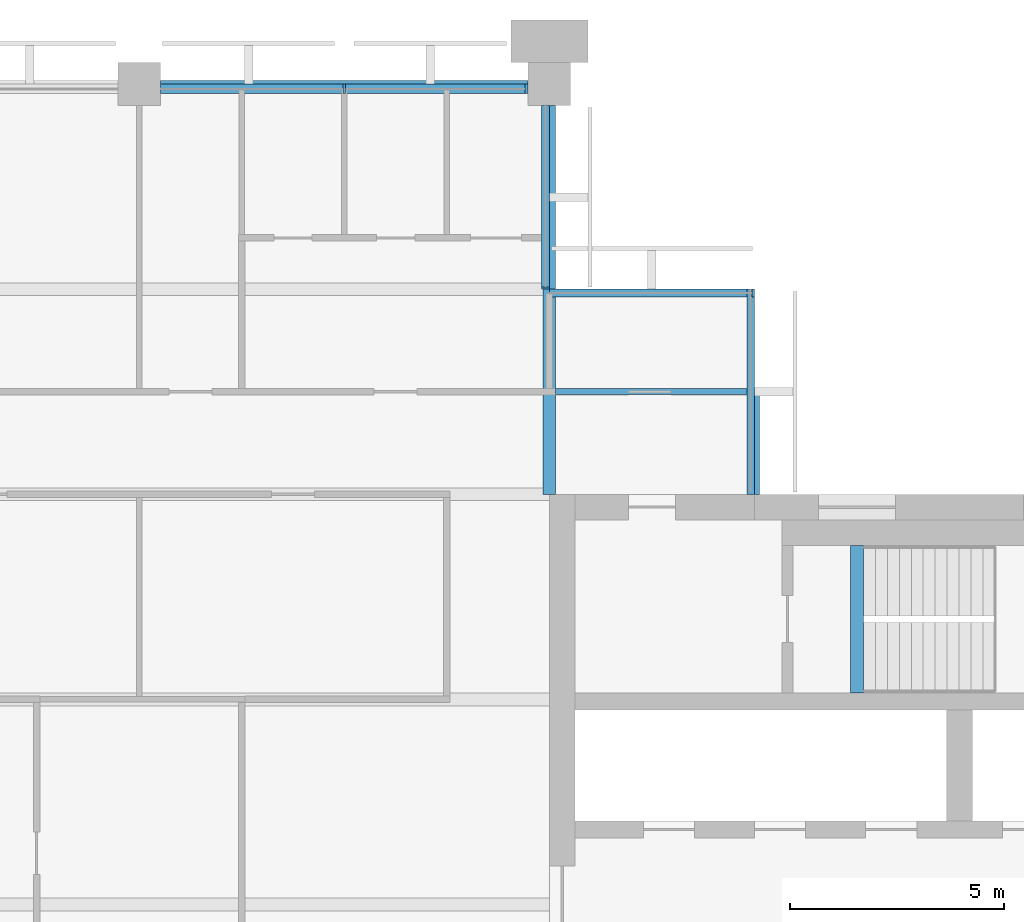
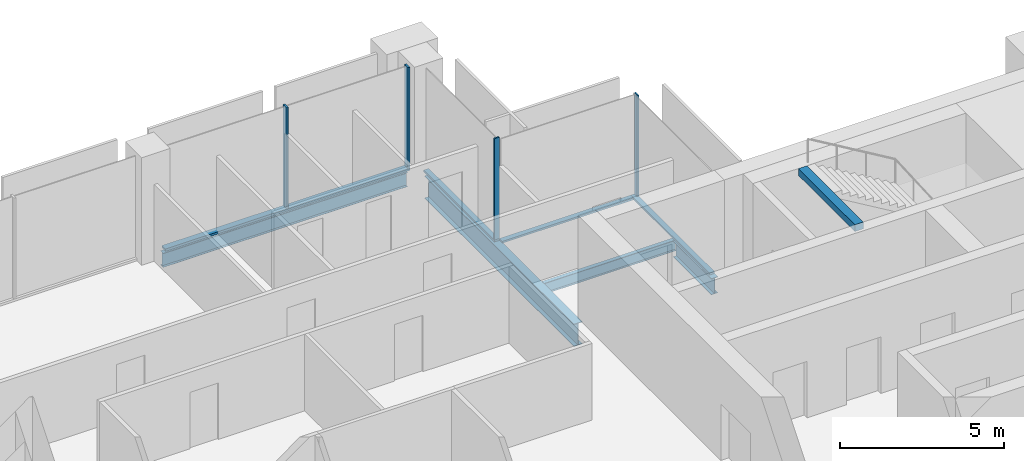
# One storey, part 6 of 12: 8 members, 5 beams, 4 elements without a shape of their own.
"""IFC4 building model written with IfcOpenShell, lengths in metres."""

from ifc_helpers import new_model, si_unit, direction, frame, origin, origin_2d, place, context, subcontext, project, spatial, rectangle, i_section, extrude, material, material_profile, profile_set, type_object, element, aggregate, save


model = new_model("IFC4")

# Units and contexts
model_context = context("Model", 3, precision=1e-05, world=origin(), true_north=direction((0.0, 1.0)))
body_context = subcontext(model_context, "Body", "Model", "MODEL_VIEW")
ifc_project = project(units=[si_unit("LENGTHUNIT", "METRE"), si_unit("AREAUNIT", "SQUARE_METRE"), si_unit("VOLUMEUNIT", "CUBIC_METRE"), si_unit("PLANEANGLEUNIT", "RADIAN"), si_unit("MASSUNIT", "GRAM", prefix="KILO")], contexts=[model_context])

# Site, building, storey
site_placement = place(None, origin())
site = spatial("IfcSite", under=ifc_project, at=site_placement, CompositionType="ELEMENT")
building_placement = place(site_placement, origin())
building = spatial("IfcBuilding", under=site, at=building_placement, Name="Baori Bourse Tower", CompositionType="ELEMENT")
storey_placement = place(building_placement, frame((0.0, 0.0, 298.300048828125)))
storey = spatial("IfcBuildingStorey", under=building, at=storey_placement, Name="L65", CompositionType="ELEMENT", Elevation=298.300048828125)

# Curtain wall, member
ifc_material_1 = material(Name="Pale anodised aluminium", Category="aluminium")
curtain_wall_type_1 = type_object("IfcCurtainWallType", Name="CW2 Curtain wall", PredefinedType="NOTDEFINED", material=ifc_material_1)
curtain_wall_1_placement = place(storey_placement, origin())
curtain_wall_1 = element("IfcCurtainWall", 1, at=curtain_wall_1_placement, inside=storey, type_object=curtain_wall_type_1, Name="Curtain wall CW2 L65 2", PredefinedType="NOTDEFINED")
ifc_material_2 = material(Name="Pale anodised aluminium", Category="aluminium")
ifc_material_profile_1 = material_profile(ifc_material_2, rectangle(XDim=0.179931640625, YDim=0.054931640625, at=origin_2d()), Name="Mullion 55x180")
ifc_profile_set_1 = profile_set([ifc_material_profile_1], Name="Pale anodised aluminium")
member_type_1 = type_object("IfcMemberType", Name="CW2 Curtain wall mullion", PredefinedType="MULLION", material=ifc_profile_set_1)
member_1_placement = place(storey_placement, frame((43.172607421875, 43.110107421875, 0.070068359375), z_axis=(0.0, 0.0, 1.0), x_axis=(0.0, -1.0, 0.0)))
member_1 = element("IfcMember", 2, at=member_1_placement, type_object=member_type_1, Name="Curtain wall CW2 mullion", PredefinedType="MULLION", context=body_context, shape_type="SweptSolid", body=[
    extrude(rectangle(XDim=0.179931640625, YDim=0.054931640625, at=origin_2d()), origin(), (0.0, 0.0, 1.0), 3.769775390625),
])

curtain_wall_2_placement = place(storey_placement, origin())
curtain_wall_2 = element("IfcCurtainWall", 3, at=curtain_wall_2_placement, inside=storey, type_object=curtain_wall_type_1, Name="Curtain wall CW2 L65 3", PredefinedType="NOTDEFINED")
member_2_placement = place(storey_placement, frame((38.31005859375, 43.2275390625, 0.070068359375), z_axis=(0.0, 0.0, 1.0), x_axis=(-1.0, 0.0, 0.0)))
member_2 = element("IfcMember", 4, at=member_2_placement, type_object=member_type_1, Name="Curtain wall CW2 mullion", PredefinedType="MULLION", context=body_context, shape_type="SweptSolid", body=[
    extrude(rectangle(XDim=0.179931640625, YDim=0.054931640625, at=origin_2d()), origin(), (0.0, 0.0, 1.0), 3.769775390625),
])

curtain_wall_3_placement = place(storey_placement, origin())
curtain_wall_3 = element("IfcCurtainWall", 5, at=curtain_wall_3_placement, inside=storey, type_object=curtain_wall_type_1, Name="Curtain wall CW2 L65 1", PredefinedType="NOTDEFINED")
ifc_material_3 = material(Name="Pale anodised aluminium", Category="aluminium")
ifc_material_profile_2 = material_profile(ifc_material_3, rectangle(XDim=0.179931640625, YDim=0.070068359375, at=origin_2d()), Name="Transom 70x180")
ifc_profile_set_2 = profile_set([ifc_material_profile_2], Name="Pale anodised aluminium")
member_type_2 = type_object("IfcMemberType", Name="CW2 Curtain wall transom", PredefinedType="USERDEFINED", material=ifc_profile_set_2)
member_3_placement = place(storey_placement, frame((43.110107421875, 38.39990234375, 0.034912109375), z_axis=(0.0, 1.0, 0.0), x_axis=(-1.0, 0.0, 0.0)))
member_3 = element("IfcMember", 6, at=member_3_placement, type_object=member_type_2, Name="Curtain wall CW2 sill rail", ObjectType="TRANSOM", PredefinedType="USERDEFINED", context=body_context, shape_type="SweptSolid", body=[
    extrude(rectangle(XDim=0.179931640625, YDim=0.070068359375, at=origin_2d()), origin(), (0.0, 0.0, 1.0), 4.800048828125),
])
aggregate(curtain_wall_3, [member_3])

# Member
member_4_placement = place(storey_placement, frame((43.199951171875, 43.110107421875, 0.034912109375), z_axis=(-1.0, 0.0, 0.0), x_axis=(0.0, -1.0, 0.0)))
member_4 = element("IfcMember", 7, at=member_4_placement, type_object=member_type_2, Name="Curtain wall CW2 sill rail", ObjectType="TRANSOM", PredefinedType="USERDEFINED", context=body_context, shape_type="SweptSolid", body=[
    extrude(rectangle(XDim=0.179931640625, YDim=0.070068359375, at=origin_2d()), origin(), (0.0, 0.0, 1.0), 4.800048828125),
])

aggregate(curtain_wall_1, [member_4, member_1])

member_5_placement = place(storey_placement, frame((38.31005859375, 43.199951171875, 0.034912109375), z_axis=(0.0, 1.0, 0.0), x_axis=(-1.0, 0.0, 0.0)))
member_5 = element("IfcMember", 8, at=member_5_placement, type_object=member_type_2, Name="Curtain wall CW2 sill rail", ObjectType="TRANSOM", PredefinedType="USERDEFINED", context=body_context, shape_type="SweptSolid", body=[
    extrude(rectangle(XDim=0.179931640625, YDim=0.070068359375, at=origin_2d()), origin(), (0.0, 0.0, 1.0), 4.300048828125),
])

aggregate(curtain_wall_2, [member_5, member_2])

# Curtain wall, members
ifc_material_4 = material(Name="Pale anodised aluminium", Category="aluminium")
curtain_wall_type_2 = type_object("IfcCurtainWallType", Name="CW5 Curtain wall", PredefinedType="NOTDEFINED", material=ifc_material_4)
curtain_wall_4_placement = place(storey_placement, origin())
curtain_wall_4 = element("IfcCurtainWall", 9, at=curtain_wall_4_placement, inside=storey, type_object=curtain_wall_type_2, Name="Curtain wall CW5 L65 4", PredefinedType="NOTDEFINED")
ifc_material_5 = material(Name="Pale anodised aluminium", Category="aluminium")
ifc_material_profile_3 = material_profile(ifc_material_5, rectangle(XDim=0.219970703125, YDim=0.06494140625, at=origin_2d()), Name="Mullion 65x220")
ifc_profile_set_3 = profile_set([ifc_material_profile_3], Name="Pale anodised aluminium")
member_type_3 = type_object("IfcMemberType", Name="CW5 Curtain wall mullion", PredefinedType="MULLION", material=ifc_profile_set_3)
member_6_placement = place(storey_placement, frame((37.867431640625, 47.889892578125, 0.0849609375), z_axis=(0.0, 0.0, 1.0), x_axis=(0.0, -1.0, 0.0)))
member_6 = element("IfcMember", 10, at=member_6_placement, type_object=member_type_3, Name="Curtain wall CW5 mullion", PredefinedType="MULLION", context=body_context, shape_type="SweptSolid", body=[
    extrude(rectangle(XDim=0.219970703125, YDim=0.06494140625, at=origin_2d()), origin(), (0.0, 0.0, 1.0), 3.7548828125),
])
member_7_placement = place(storey_placement, frame((33.60009765625, 47.889892578125, 0.0849609375), z_axis=(0.0, 0.0, 1.0), x_axis=(0.0, -1.0, 0.0)))
member_7 = element("IfcMember", 11, at=member_7_placement, type_object=member_type_3, Name="Curtain wall CW5 mullion", PredefinedType="MULLION", context=body_context, shape_type="SweptSolid", body=[
    extrude(rectangle(XDim=0.219970703125, YDim=0.06494140625, at=origin_2d()), origin(), (0.0, 0.0, 1.0), 3.7548828125),
])
ifc_material_6 = material(Name="Pale anodised aluminium", Category="aluminium")
ifc_material_profile_4 = material_profile(ifc_material_6, rectangle(XDim=0.219970703125, YDim=0.0849609375, at=origin_2d()), Name="Transom 85x220")
ifc_profile_set_4 = profile_set([ifc_material_profile_4], Name="Pale anodised aluminium")
member_type_4 = type_object("IfcMemberType", Name="CW5 Curtain wall transom", PredefinedType="USERDEFINED", material=ifc_profile_set_4)
member_8_placement = place(storey_placement, frame((37.89990234375, 47.889892578125, 0.04248046875), z_axis=(-1.0, 0.0, 0.0), x_axis=(0.0, -1.0, 0.0)))
member_8 = element("IfcMember", 12, at=member_8_placement, type_object=member_type_4, Name="Curtain wall CW5 sill rail", ObjectType="TRANSOM", PredefinedType="USERDEFINED", context=body_context, shape_type="SweptSolid", body=[
    extrude(rectangle(XDim=0.219970703125, YDim=0.0849609375, at=origin_2d()), origin(), (0.0, 0.0, 1.0), 8.599853515625),
])
aggregate(curtain_wall_4, [member_8, member_6, member_7])

# Beams
ifc_material_7 = material(Name="Steel A992 Gr 50", Category="steel")
ifc_material_profile_5 = material_profile(ifc_material_7, i_section(OverallWidth=0.227783203125, OverallDepth=0.60205078125, WebThickness=0.010498046875, FlangeThickness=0.014892578125, at=origin_2d()), Name="W24x68")
ifc_profile_set_5 = profile_set([ifc_material_profile_5], Name="Steel A992 Gr 50")
beam_type_1 = type_object("IfcBeamType", Name="Core bracket W24x68", PredefinedType="BEAM", material=ifc_profile_set_5)
beam_1_placement = place(storey_placement, frame((43.199951171875, 38.39990234375, -0.4609375), z_axis=(0.0, 1.0, 0.0), x_axis=(-1.0, 0.0, 0.0)))
element("IfcBeam", 13, at=beam_1_placement, inside=storey, type_object=beam_type_1, Name="Core bracket L65", PredefinedType="BEAM", context=body_context, shape_type="SweptSolid", body=[
    extrude(i_section(OverallWidth=0.227783203125, OverallDepth=0.60205078125, WebThickness=0.010498046875, FlangeThickness=0.014892578125, at=origin_2d()), origin(), (0.0, 0.0, 1.0), 2.329833984375),
])
ifc_material_8 = material(Name="Steel A992 Gr 50", Category="steel")
ifc_material_profile_6 = material_profile(ifc_material_8, i_section(OverallWidth=0.1650390625, OverallDepth=0.52587890625, WebThickness=0.0087890625, FlangeThickness=0.011474609375, at=origin_2d()), Name="W21x44")
ifc_profile_set_6 = profile_set([ifc_material_profile_6], Name="Steel A992 Gr 50")
beam_type_2 = type_object("IfcBeamType", Name="Edge beam W21x44", PredefinedType="BEAM", material=ifc_profile_set_6)
beam_2_placement = place(storey_placement, frame((29.300048828125, 48.0, -0.4228515625), z_axis=(1.0, 0.0, 0.0), x_axis=(0.0, 1.0, 0.0)))
element("IfcBeam", 14, at=beam_2_placement, inside=storey, type_object=beam_type_2, Name="Edge beam L65", PredefinedType="BEAM", context=body_context, shape_type="SweptSolid", body=[
    extrude(i_section(OverallWidth=0.1650390625, OverallDepth=0.52587890625, WebThickness=0.0087890625, FlangeThickness=0.011474609375, at=origin_2d()), origin(), (0.0, 0.0, 1.0), 8.599853515625),
])
ifc_material_9 = material(Name="Steel A992 Gr 50", Category="steel")
ifc_material_profile_7 = material_profile(ifc_material_9, i_section(OverallWidth=0.2919921875, OverallDepth=0.835693359375, WebThickness=0.013916015625, FlangeThickness=0.018798828125, at=origin_2d()), Name="W33x118")
ifc_profile_set_7 = profile_set([ifc_material_profile_7], Name="Steel A992 Gr 50")
beam_type_3 = type_object("IfcBeamType", Name="Girder W33x118", PredefinedType="BEAM", material=ifc_profile_set_7)
beam_3_placement = place(storey_placement, frame((38.39990234375, 38.39990234375, -0.577880859375), z_axis=(0.0, 1.0, 0.0), x_axis=(-1.0, 0.0, 0.0)))
element("IfcBeam", 15, at=beam_3_placement, inside=storey, type_object=beam_type_3, Name="Girder L65", PredefinedType="BEAM", context=body_context, shape_type="SweptSolid", body=[
    extrude(i_section(OverallWidth=0.2919921875, OverallDepth=0.835693359375, WebThickness=0.013916015625, FlangeThickness=0.018798828125, at=origin_2d()), origin(), (0.0, 0.0, 1.0), 9.10009765625),
])
ifc_material_10 = material(Name="Concrete f'c 50 MPa", Category="concrete")
ifc_material_profile_8 = material_profile(ifc_material_10, rectangle(XDim=0.300048828125, YDim=0.25, at=origin_2d()), Name="RC 300x250")
ifc_profile_set_8 = profile_set([ifc_material_profile_8], Name="Concrete f'c 50 MPa")
beam_type_4 = type_object("IfcBeamType", Name="Stair nib beam RC 300x250", PredefinedType="BEAM", material=ifc_profile_set_8)
beam_4_placement = place(storey_placement, frame((45.60009765625, 33.75, 3.71484375), z_axis=(0.0, 1.0, 0.0), x_axis=(-1.0, 0.0, 0.0)))
element("IfcBeam", 16, at=beam_4_placement, inside=storey, type_object=beam_type_4, Name="Stair EB nib beam L66", PredefinedType="BEAM", context=body_context, shape_type="SweptSolid", body=[
    extrude(rectangle(XDim=0.300048828125, YDim=0.25, at=origin_2d()), origin(), (0.0, 0.0, 1.0), 3.449951171875),
])
ifc_material_11 = material(Name="Steel A992 Gr 50", Category="steel")
ifc_material_profile_9 = material_profile(ifc_material_11, i_section(OverallWidth=0.140380859375, OverallDepth=0.40380859375, WebThickness=0.007080078125, FlangeThickness=0.01123046875, at=origin_2d()), Name="W16x31")
ifc_profile_set_9 = profile_set([ifc_material_profile_9], Name="Steel A992 Gr 50")
beam_type_5 = type_object("IfcBeamType", Name="Trimmer beam W16x31", PredefinedType="BEAM", material=ifc_profile_set_9)
beam_5_placement = place(storey_placement, frame((38.546142578125, 40.800048828125, -0.362060546875), z_axis=(1.0, 0.0, 0.0), x_axis=(0.0, 1.0, 0.0)))
element("IfcBeam", 17, at=beam_5_placement, inside=storey, type_object=beam_type_5, Name="Trimmer beam L65", PredefinedType="BEAM", context=body_context, shape_type="SweptSolid", body=[
    extrude(i_section(OverallWidth=0.140380859375, OverallDepth=0.40380859375, WebThickness=0.007080078125, FlangeThickness=0.01123046875, at=origin_2d()), origin(), (0.0, 0.0, 1.0), 4.65380859375),
])

save(model, "model.ifc")
